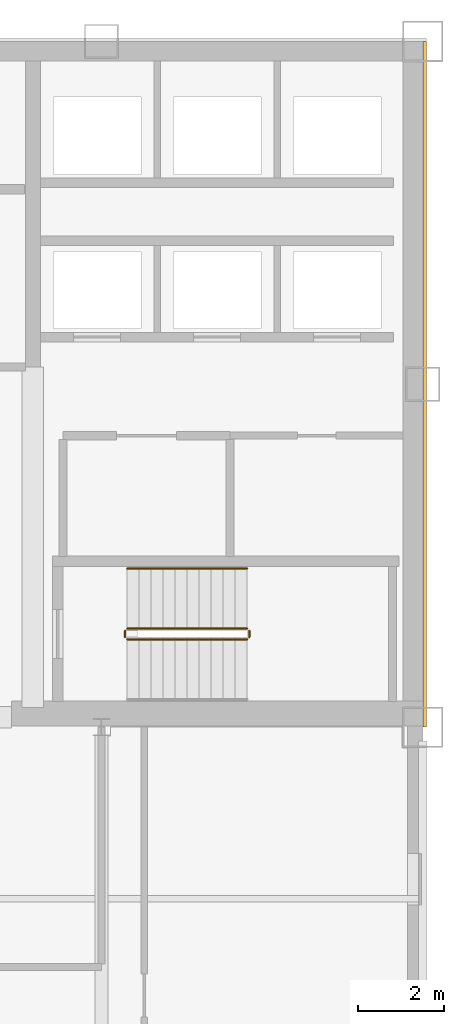
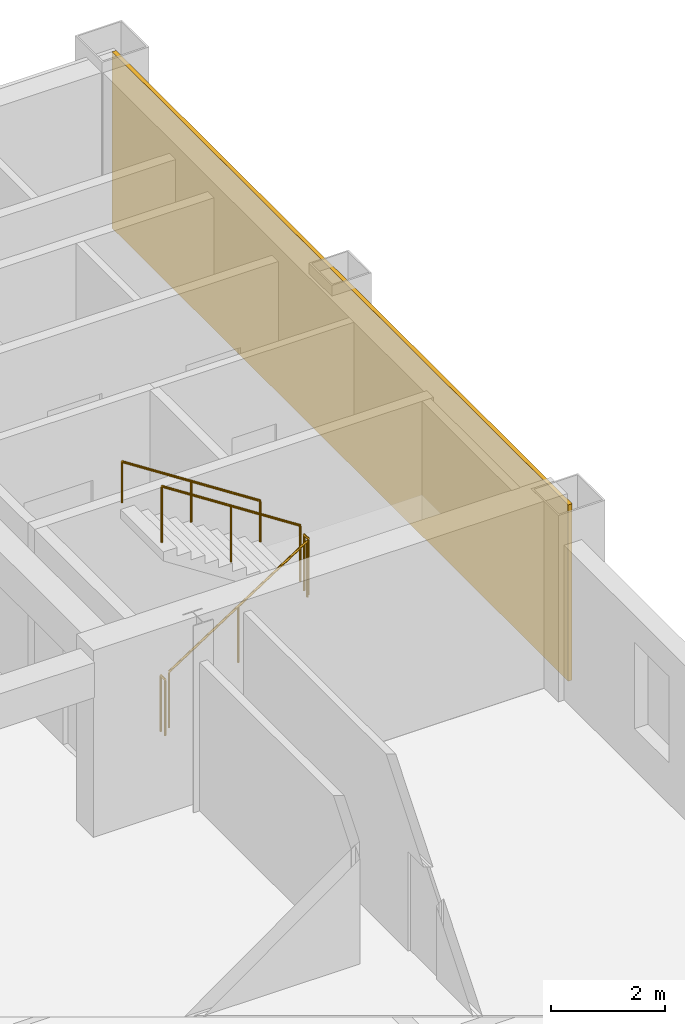
# One storey, part 8 of 10: 5 railings, 1 covering.
"""IFC4 building model written with IfcOpenShell, lengths in metres."""

import ifcopenshell
import ifcopenshell.guid

model = None  # the IFC model being written
_history = None  # IfcOwnerHistory: only IFC2X3 demands one
_inside = {}  # id of a spatial element -> (the spatial element, [elements in it])
_under = {}  # id of a project, library or spatial element -> (it, [spatial elements below it])
_declared = {}  # id of a project -> (the project, [libraries it declares])
_typed = {}  # id of a type object -> (the type object, [elements of that type])
_made_of = {}  # id of a material, layer set ... -> (it, [elements and type objects made of it])


def new_model(schema):
    """Start an empty IFC model of exactly this schema.

    Asked for "IFC4X3", IfcOpenShell would pick the latest addendum, in which some entities
    have other attributes; the version numbers below select the first issue.
    IFC2X3 requires an IfcOwnerHistory on every rooted entity: one is made here for all.
    """
    global model, _history
    if schema == "IFC4X3":
        model = ifcopenshell.file(schema_version=(4, 3, 0, 0))
    else:
        model = ifcopenshell.file(schema=schema)
    _inside.clear()
    _under.clear()
    _declared.clear()
    _typed.clear()
    _made_of.clear()
    _history = None
    if model.schema == "IFC2X3":
        org = make("IfcOrganization", Name="unknown")
        user = make(
            "IfcPersonAndOrganization",
            ThePerson=make("IfcPerson", FamilyName="unknown"),
            TheOrganization=org,
        )
        app = make(
            "IfcApplication",
            ApplicationDeveloper=org,
            Version="unknown",
            ApplicationFullName="unknown",
            ApplicationIdentifier="unknown",
        )
        _history = make(
            "IfcOwnerHistory",
            OwningUser=user,
            OwningApplication=app,
            ChangeAction="ADDED",
            CreationDate=0,
        )
    return model


def make(cls, **values):
    """One entity of the class cls with the attributes given. An attribute that is None is left unset."""
    return model.create_entity(
        cls, **{name: value for name, value in values.items() if value is not None}
    )


def rooted(cls, **values):
    """An entity with a GlobalId (a new one), such as an element, a storey or a relation."""
    return make(cls, GlobalId=ifcopenshell.guid.new(), OwnerHistory=_history, **values)


def si_unit(unit_type, name, prefix=None):
    """IfcSIUnit, for example si_unit("LENGTHUNIT", "METRE", prefix="MILLI")."""
    return make("IfcSIUnit", UnitType=unit_type, Prefix=prefix, Name=name)


def assignment(units):
    """IfcUnitAssignment: the units of a project."""
    return None if units is None else make("IfcUnitAssignment", Units=units)


def point(xyz):
    """IfcCartesianPoint."""
    return None if xyz is None else make("IfcCartesianPoint", Coordinates=xyz)


def direction(xyz):
    """IfcDirection."""
    return None if xyz is None else make("IfcDirection", DirectionRatios=xyz)


def frame(location, z_axis=None, x_axis=None):
    """IfcAxis2Placement3D, a coordinate frame: its origin and axes. An axis left out is left unset."""
    return make(
        "IfcAxis2Placement3D",
        Location=point(location),
        Axis=direction(z_axis),
        RefDirection=direction(x_axis),
    )


def frame_2d(location, x_axis=None):
    """IfcAxis2Placement2D, a coordinate frame in the plane: its origin and x axis."""
    return make(
        "IfcAxis2Placement2D", Location=point(location), RefDirection=direction(x_axis)
    )


def origin():
    """The frame at (0, 0, 0) with its axes left unset."""
    return frame((0.0, 0.0, 0.0))


def origin_2d():
    """The frame at (0, 0) in the plane with its x axis left unset."""
    return frame_2d((0.0, 0.0))


def place(relative_to, where):
    """IfcLocalPlacement: puts the frame where relative to a parent placement (None: the world)."""
    return make(
        "IfcLocalPlacement", PlacementRelTo=relative_to, RelativePlacement=where
    )


def context(
    kind, dimensions, precision=None, world=None, true_north=None, identifier=None
):
    """IfcGeometricRepresentationContext, for example the 3D "Model" context."""
    return make(
        "IfcGeometricRepresentationContext",
        ContextIdentifier=identifier,
        ContextType=kind,
        CoordinateSpaceDimension=dimensions,
        Precision=precision,
        WorldCoordinateSystem=world,
        TrueNorth=true_north,
    )


def subcontext(parent, identifier, kind, view, scale=None):
    """IfcGeometricRepresentationSubContext, for example "Body" below "Model"."""
    return make(
        "IfcGeometricRepresentationSubContext",
        ContextIdentifier=identifier,
        ContextType=kind,
        ParentContext=parent,
        TargetScale=scale,
        TargetView=view,
    )


def project(units=None, contexts=None):
    """IfcProject with its units and contexts."""
    return rooted(
        "IfcProject",
        Name="project",
        RepresentationContexts=contexts,
        UnitsInContext=assignment(units),
    )


def spatial(cls, under=None, at=None, **own):
    """A site, building, storey or space (cls), placed at a placement, below another one or the project."""
    s = rooted(cls, ObjectPlacement=at, **own)
    if under is not None:
        _under.setdefault(under.id(), (under, []))[1].append(s)
    return s


def profile(cls, at=None, kind="AREA", **sizes):
    """A parametric profile (cls). Its sizes go by their IFC names, for example OverallWidth=200.0."""
    return make(cls, ProfileType=kind, Position=at, **sizes)


def rectangle(**sizes):
    """IfcRectangleProfileDef."""
    return profile("IfcRectangleProfileDef", **sizes)


def circle(**sizes):
    """IfcCircleProfileDef."""
    return profile("IfcCircleProfileDef", **sizes)


def extrude(swept, where, along, depth):
    """IfcExtrudedAreaSolid: the profile swept, set in the frame where, extruded along a direction by depth."""
    return make(
        "IfcExtrudedAreaSolid",
        SweptArea=swept,
        Position=where,
        ExtrudedDirection=direction(along),
        Depth=depth,
    )


def shape(context_of_items, identifier, shape_type, items):
    """IfcShapeRepresentation: the items that make up one representation, for example the "Body"."""
    return make(
        "IfcShapeRepresentation",
        ContextOfItems=context_of_items,
        RepresentationIdentifier=identifier,
        RepresentationType=shape_type,
        Items=items,
    )


def material(Name=None, Category=None):
    """IfcMaterial."""
    return make("IfcMaterial", Name=Name, Category=Category)


def layer(
    of_material, thickness, ventilated=None, Name=None, Category=None, Priority=None
):
    """IfcMaterialLayer: one layer of a wall or slab, of a material (None: an air gap)."""
    return make(
        "IfcMaterialLayer",
        Material=of_material,
        LayerThickness=thickness,
        IsVentilated=ventilated,
        Name=Name,
        Category=Category,
        Priority=Priority,
    )


def layer_set(layers, Name=None):
    """IfcMaterialLayerSet."""
    return make("IfcMaterialLayerSet", MaterialLayers=layers, LayerSetName=Name)


def made_of(thing, what):
    """Note that an element or type object is made of a material, layer set ...; save() writes the relation."""
    if what is not None:
        _made_of.setdefault(what.id(), (what, []))[1].append(thing)
    return thing


def type_object(cls, material=None, **own):
    """A type object (cls), such as IfcWallType, which elements share."""
    return made_of(rooted(cls, **own), material)


def element(
    cls,
    number,
    at=None,
    inside=None,
    cuts=None,
    type_object=None,
    material=None,
    context=None,
    identifier="Body",
    shape_type=None,
    held_by="IfcProductDefinitionShape",
    body=None,
    shapes=None,
    **own,
):
    """One element of the class cls, such as IfcWall. Its Tag is "e" and its number.

    at: its placement. inside: the storey or other place that contains it. cuts: it is an
    opening in that element (IfcRelVoidsElement). A single representation is given by context,
    identifier, shape_type and body (its items); several are given by shapes. held_by: the class
    of the entity that holds the representations. save() writes the other relations.
    """
    e = rooted(cls, Tag="e%d" % number, ObjectPlacement=at, **own)
    if body is not None:
        shapes = [shape(context, identifier, shape_type, body)]
    if shapes is not None:
        e.Representation = make(held_by, Representations=shapes)
    if inside is not None:
        _inside.setdefault(inside.id(), (inside, []))[1].append(e)
    if cuts is not None:
        rooted(
            "IfcRelVoidsElement", RelatingBuildingElement=cuts, RelatedOpeningElement=e
        )
    if type_object is not None:
        _typed.setdefault(type_object.id(), (type_object, []))[1].append(e)
    return made_of(e, material)


def aggregate(whole, parts):
    """IfcRelAggregates: a whole, such as a stair, and the parts it consists of."""
    return rooted("IfcRelAggregates", RelatingObject=whole, RelatedObjects=parts)


def save(model, path):
    """Write the relations noted so far, then the file.

    IfcRelAggregates (storeys below a building ...), IfcRelContainedInSpatialStructure (elements
    in a storey), IfcRelDefinesByType, IfcRelAssociatesMaterial and IfcRelDeclares: one each for
    every whole, place, type object, material and project.
    """
    for whole, parts in _under.values():
        aggregate(whole, parts)
    for where, things in _inside.values():
        rooted(
            "IfcRelContainedInSpatialStructure",
            RelatedElements=things,
            RelatingStructure=where,
        )
    for kind, things in _typed.values():
        rooted("IfcRelDefinesByType", RelatedObjects=things, RelatingType=kind)
    for what, things in _made_of.values():
        rooted("IfcRelAssociatesMaterial", RelatedObjects=things, RelatingMaterial=what)
    for by, libraries in _declared.values():
        rooted("IfcRelDeclares", RelatingContext=by, RelatedDefinitions=libraries)
    model.write(path)


model = new_model("IFC4")

# Units and contexts
model_context = context("Model", 3, precision=1e-05, world=origin(), true_north=direction((0.0, 1.0)))
body_context = subcontext(model_context, "Body", "Model", "MODEL_VIEW")
ifc_project = project(units=[si_unit("LENGTHUNIT", "METRE"), si_unit("AREAUNIT", "SQUARE_METRE"), si_unit("VOLUMEUNIT", "CUBIC_METRE"), si_unit("PLANEANGLEUNIT", "RADIAN"), si_unit("MASSUNIT", "GRAM", prefix="KILO")], contexts=[model_context])

# Site, building, storey
site_placement = place(None, origin())
site = spatial("IfcSite", under=ifc_project, at=site_placement, CompositionType="ELEMENT")
building_placement = place(site_placement, origin())
building = spatial("IfcBuilding", under=site, at=building_placement, Name="Qianrong Seaharbour Tower", CompositionType="ELEMENT")
storey_placement = place(building_placement, frame((0.0, 0.0, 249.800048828125)))
storey = spatial("IfcBuildingStorey", under=building, at=storey_placement, Name="L60", CompositionType="ELEMENT", Elevation=249.800048828125)

# Covering
ifc_material_1 = material(Name="Unitised red brick cladding on Precast concrete C45/55", Category="masonry")
ifc_layer = layer(ifc_material_1, 0.080078125)
ifc_layer_set = layer_set([ifc_layer], Name="Unitised red brick cladding on Precast concrete C45/55")
covering_type = type_object("IfcCoveringType", Name="COV-CLAD-RED-BRICK-80", PredefinedType="CLADDING", material=ifc_layer_set)
covering_placement = place(storey_placement, frame((64.0400390625, 44.0, 0.0), z_axis=(0.0, 0.0, 1.0), x_axis=(1.0, 0.0, 0.0)))
element("IfcCovering", 1, at=covering_placement, inside=storey, type_object=covering_type, Name="L60 East Core Brick Veneer Cladding", PredefinedType="CLADDING", context=body_context, shape_type="SweptSolid", body=[
    extrude(rectangle(XDim=0.080078125, YDim=16.0, at=origin_2d()), origin(), (0.0, 0.0, 1.0), 3.77490234375),
])

# Railings
ifc_material_2 = material(Name="Galvanized painted steel SN400B stair guard", Category="steel")
railing_type_1 = type_object("IfcRailingType", Name="RAIL-STAIR-GUARD-1220", PredefinedType="GUARDRAIL", material=ifc_material_2)
railing_1_placement = place(storey_placement, frame((57.10009765625, 38.050048828125, 0.181884765625)))
element("IfcRailing", 2, at=railing_1_placement, inside=storey, type_object=railing_type_1, Name="L60 ST-2 stair guard 1", PredefinedType="GUARDRAIL", context=body_context, shape_type="SweptSolid", body=[
    extrude(circle(Radius=0.02392578125, at=origin_2d()), frame((0.0, 0.0, 1.19580078125), z_axis=(0.83868413941, 0.0, 0.544618136222), x_axis=(0.0, 1.0, 0.0)), (0.0, 0.0, 1.0), 3.33837890625),
    extrude(circle(Radius=0.02099609375, at=origin_2d()), origin(), (0.0, 0.0, 1.0), 1.171875),
    extrude(circle(Radius=0.02099609375, at=origin_2d()), frame((1.39990234375, 0.0, 0.9091796875)), (0.0, 0.0, 1.0), 1.171875),
    extrude(circle(Radius=0.02099609375, at=origin_2d()), frame((2.7998046875, 0.0, 1.818115234375)), (0.0, 0.0, 1.0), 1.171875),
])
railing_2_placement = place(storey_placement, frame((59.949951171875, 38.10009765625, 2.0)))
element("IfcRailing", 3, at=railing_2_placement, inside=storey, type_object=railing_type_1, Name="L60 ST-2 stair guard 2", PredefinedType="GUARDRAIL", context=body_context, shape_type="SweptSolid", body=[
    extrude(circle(Radius=0.02392578125, at=origin_2d()), frame((0.0, 0.0, 1.19580078125), z_axis=(0.0, 1.0, 0.0), x_axis=(-1.0, 0.0, 0.0)), (0.0, 0.0, 1.0), 0.14990234375),
    extrude(circle(Radius=0.02099609375, at=origin_2d()), origin(), (0.0, 0.0, 1.0), 1.171875),
    extrude(circle(Radius=0.02099609375, at=origin_2d()), frame((0.0, 0.14990234375, 0.0)), (0.0, 0.0, 1.0), 1.171875),
])
railing_3_placement = place(storey_placement, frame((59.89990234375, 38.300048828125, 2.181884765625)))
element("IfcRailing", 4, at=railing_3_placement, inside=storey, type_object=railing_type_1, Name="L60 ST-2 stair guard 3", PredefinedType="GUARDRAIL", context=body_context, shape_type="SweptSolid", body=[
    extrude(circle(Radius=0.02392578125, at=origin_2d()), frame((0.0, 0.0, 1.19580078125), z_axis=(-0.83868413941, 0.0, 0.544618136222), x_axis=(0.0, -1.0, 0.0)), (0.0, 0.0, 1.0), 3.33837890625),
    extrude(circle(Radius=0.02099609375, at=origin_2d()), origin(), (0.0, 0.0, 1.0), 1.171875),
    extrude(circle(Radius=0.02099609375, at=origin_2d()), frame((-1.39990234375, 0.0, 0.9091796875)), (0.0, 0.0, 1.0), 1.171875),
    extrude(circle(Radius=0.02099609375, at=origin_2d()), frame((-2.7998046875, 0.0, 1.818115234375)), (0.0, 0.0, 1.0), 1.171875),
])
railing_4_placement = place(storey_placement, frame((57.050048828125, 38.10009765625, 0.0)))
element("IfcRailing", 5, at=railing_4_placement, inside=storey, type_object=railing_type_1, Name="L60 ST-2 stair guard 4", PredefinedType="GUARDRAIL", context=body_context, shape_type="SweptSolid", body=[
    extrude(circle(Radius=0.02392578125, at=origin_2d()), frame((0.0, 0.0, 1.19580078125), z_axis=(0.0, 1.0, 0.0), x_axis=(-1.0, 0.0, 0.0)), (0.0, 0.0, 1.0), 0.14990234375),
    extrude(circle(Radius=0.02099609375, at=origin_2d()), origin(), (0.0, 0.0, 1.0), 1.171875),
    extrude(circle(Radius=0.02099609375, at=origin_2d()), frame((0.0, 0.14990234375, 0.0)), (0.0, 0.0, 1.0), 1.171875),
])
ifc_material_3 = material(Name="Stainless steel SUS316L continuous handrail", Category="steel")
railing_type_2 = type_object("IfcRailingType", Name="RAIL-STAIR-HANDRAIL-900", PredefinedType="HANDRAIL", material=ifc_material_3)
railing_5_placement = place(storey_placement, frame((59.89990234375, 39.699951171875, 2.181884765625)))
element("IfcRailing", 6, at=railing_5_placement, inside=storey, type_object=railing_type_2, Name="L60 ST-2 stair handrail 2", PredefinedType="HANDRAIL", context=body_context, shape_type="SweptSolid", body=[
    extrude(circle(Radius=0.02392578125, at=origin_2d()), frame((0.0, 0.0, 0.8759765625), z_axis=(-0.83868413941, 0.0, 0.544618136222), x_axis=(0.0, -1.0, 0.0)), (0.0, 0.0, 1.0), 3.33837890625),
    extrude(circle(Radius=0.02099609375, at=origin_2d()), origin(), (0.0, 0.0, 1.0), 0.851806640625),
    extrude(circle(Radius=0.02099609375, at=origin_2d()), frame((-1.39990234375, 0.0, 0.9091796875)), (0.0, 0.0, 1.0), 0.851806640625),
    extrude(circle(Radius=0.02099609375, at=origin_2d()), frame((-2.7998046875, 0.0, 1.818115234375)), (0.0, 0.0, 1.0), 0.851806640625),
])

save(model, "model.ifc")
